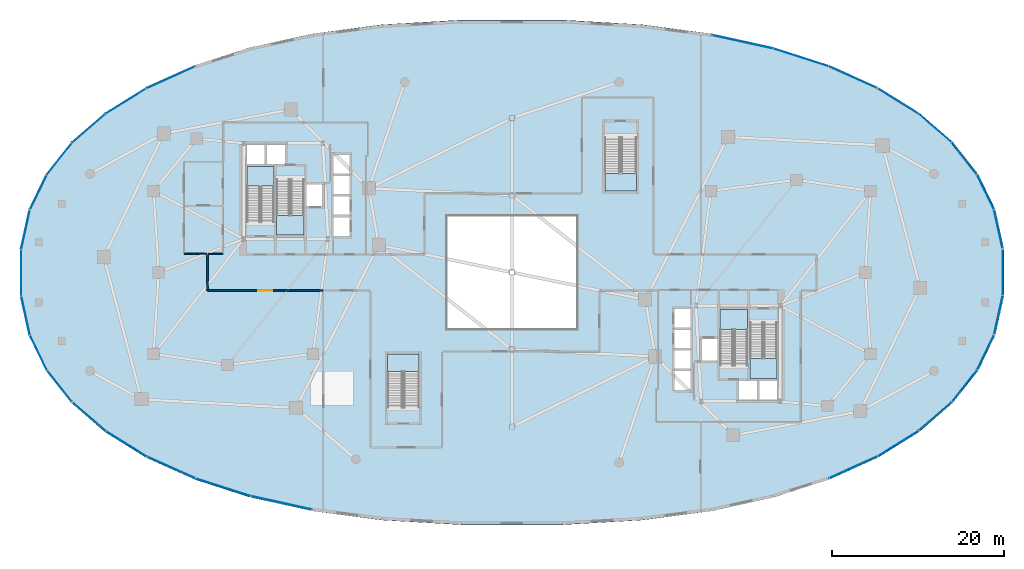
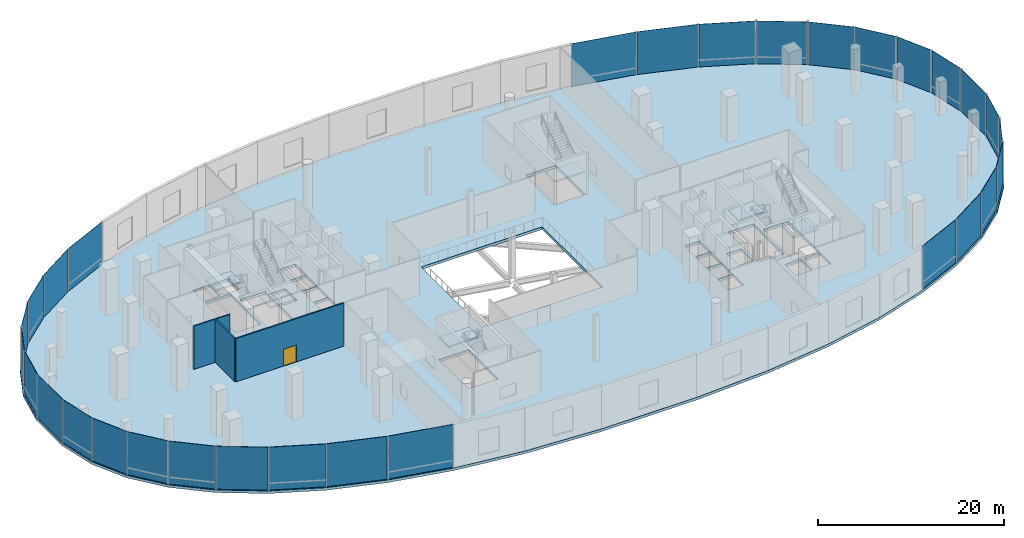
# One storey, part 11 of 20: 30 plates, 7 slabs, 4 walls, 1 door, 1 opening, 13 elements without a shape of their own.
"""IFC4 building model written with IfcOpenShell, lengths in metres."""

from ifc_helpers import new_model, si_unit, direction, frame, frame_2d, origin, origin_2d, place, context, subcontext, project, spatial, polyline, rectangle, outline, extrude, material, layer, layer_set, type_object, element, fill, aggregate, save


model = new_model("IFC4")

# Units and contexts
model_context = context("Model", 3, precision=1e-05, world=origin(), true_north=direction((0.0, 1.0)))
body_context = subcontext(model_context, "Body", "Model", "MODEL_VIEW")
ifc_project = project(units=[si_unit("LENGTHUNIT", "METRE"), si_unit("AREAUNIT", "SQUARE_METRE"), si_unit("VOLUMEUNIT", "CUBIC_METRE"), si_unit("PLANEANGLEUNIT", "RADIAN"), si_unit("MASSUNIT", "GRAM", prefix="KILO"), si_unit("THERMODYNAMICTEMPERATUREUNIT", "KELVIN"), si_unit("POWERUNIT", "WATT")], contexts=[model_context])

# Site, building, storey
site_placement = place(None, origin())
site = spatial("IfcSite", under=ifc_project, at=site_placement, CompositionType="ELEMENT")
building_placement = place(site_placement, origin())
building = spatial("IfcBuilding", under=site, at=building_placement, Name="Cundina Bronze Exchange", CompositionType="ELEMENT")
storey_placement = place(building_placement, frame((0.0, 0.0, 6.0)))
storey = spatial("IfcBuildingStorey", under=building, at=storey_placement, Name="L01", CompositionType="ELEMENT", Elevation=6.0)

# Curtain wall, plates
ifc_material_1 = material(Name="Anodised Bronze Aluminium 6063-T6", Category="aluminium")
curtain_wall_type = type_object("IfcCurtainWallType", Name="CWS-POD-CONC", PredefinedType="NOTDEFINED", material=ifc_material_1)
curtain_wall_1_placement = place(storey_placement, origin())
curtain_wall_1 = element("IfcCurtainWall", 1, at=curtain_wall_1_placement, inside=storey, type_object=curtain_wall_type, Name="L01 CW-01 Curtain Wall Run CWR-L01-01", PredefinedType="NOTDEFINED")
ifc_material_2 = material(Name="Heat-Strengthened Solar-Control Bronze Safety Glass 28mm", Category="glass")
ifc_layer_1 = layer(ifc_material_2, 0.033935546875, Name="Heat-Strengthened Solar-Control Bronze Safety Glass 28mm", Category="glass")
ifc_layer_set_1 = layer_set([ifc_layer_1], Name="Heat-Strengthened Solar-Control Bronze Safety Glass 28mm")
plate_type_1 = type_object("IfcPlateType", Name="PLT-GLZ-POD34", PredefinedType="CURTAIN_PANEL", material=ifc_layer_set_1)
plate_1_placement = place(storey_placement, frame((56.7294921875, 4.99951171875, 0.02001953125), z_axis=(0.0, 0.0, 1.0), x_axis=(-0.214496674701, 0.976724718916, 0.0)))
plate_1 = element("IfcPlate", 2, at=plate_1_placement, type_object=plate_type_1, Name="CW-01 Glazed Panel 1", PredefinedType="CURTAIN_PANEL", context=body_context, shape_type="SweptSolid", body=[
    extrude(rectangle(XDim=4.60009765625, YDim=0.033935546875, at=origin_2d()), origin(), (0.0, 0.0, 1.0), 5.610107421875),
])
plate_2_placement = place(storey_placement, frame((55.237548828125, 9.3232421875, 0.02001953125), z_axis=(0.0, 0.0, 1.0), x_axis=(-0.435765282624, 0.900060341566, 0.0)))
plate_2 = element("IfcPlate", 3, at=plate_2_placement, type_object=plate_type_1, Name="CW-01 Glazed Panel 2", PredefinedType="CURTAIN_PANEL", context=body_context, shape_type="SweptSolid", body=[
    extrude(rectangle(XDim=4.499755859375, YDim=0.033935546875, at=origin_2d()), origin(), (0.0, 0.0, 1.0), 5.610107421875),
])
plate_3_placement = place(storey_placement, frame((52.768798828125, 13.24462890625, 0.02001953125), z_axis=(0.0, 0.0, 1.0), x_axis=(-0.619463952441, 0.785025102545, 0.0)))
plate_3 = element("IfcPlate", 4, at=plate_3_placement, type_object=plate_type_1, Name="CW-01 Glazed Panel 3", PredefinedType="CURTAIN_PANEL", context=body_context, shape_type="SweptSolid", body=[
    extrude(rectangle(XDim=4.7060546875, YDim=0.033935546875, at=origin_2d()), origin(), (0.0, 0.0, 1.0), 5.610107421875),
])
plate_4_placement = place(storey_placement, frame((49.346923828125, 16.802490234375, 0.02001953125), z_axis=(0.0, 0.0, 1.0), x_axis=(-0.755556279398, 0.655083741717, 0.0)))
plate_4 = element("IfcPlate", 5, at=plate_4_placement, type_object=plate_type_1, Name="CW-01 Glazed Panel 4", PredefinedType="CURTAIN_PANEL", context=body_context, shape_type="SweptSolid", body=[
    extrude(rectangle(XDim=5.0849609375, YDim=0.033935546875, at=origin_2d()), origin(), (0.0, 0.0, 1.0), 5.610107421875),
])

curtain_wall_2_placement = place(storey_placement, origin())
curtain_wall_2 = element("IfcCurtainWall", 6, at=curtain_wall_2_placement, inside=storey, type_object=curtain_wall_type, Name="L01 CW-01 Curtain Wall Run CWR-L01-02", PredefinedType="NOTDEFINED")
plate_5_placement = place(storey_placement, frame((39.789794921875, 22.73876953125, 0.02001953125), z_axis=(0.0, 0.0, 1.0), x_axis=(-0.911647313688, 0.41097344859, 0.0)))
plate_5 = element("IfcPlate", 7, at=plate_5_placement, type_object=plate_type_1, Name="CW-01 Glazed Panel 1", PredefinedType="CURTAIN_PANEL", context=body_context, shape_type="SweptSolid", body=[
    extrude(rectangle(XDim=6.11962890625, YDim=0.033935546875, at=origin_2d()), origin(), (0.0, 0.0, 1.0), 5.610107421875),
])
plate_6_placement = place(storey_placement, frame((33.738037109375, 25.051513671875, 0.02001953125), z_axis=(0.0, 0.0, 1.0), x_axis=(-0.951840858876, 0.306592529873, 0.0)))
plate_6 = element("IfcPlate", 8, at=plate_6_placement, type_object=plate_type_1, Name="CW-01 Glazed Panel 2", PredefinedType="CURTAIN_PANEL", context=body_context, shape_type="SweptSolid", body=[
    extrude(rectangle(XDim=6.71044921875, YDim=0.033935546875, at=origin_2d()), origin(), (0.0, 0.0, 1.0), 5.610107421875),
])
plate_7_placement = place(storey_placement, frame((26.882568359375, 26.884765625, 0.02001953125), z_axis=(0.0, 0.0, 1.0), x_axis=(-0.9769078017, 0.213661290314, 0.0)))
plate_7 = element("IfcPlate", 9, at=plate_7_placement, type_object=plate_type_1, Name="CW-01 Glazed Panel 3", PredefinedType="CURTAIN_PANEL", context=body_context, shape_type="SweptSolid", body=[
    extrude(rectangle(XDim=7.3466796875, YDim=0.033935546875, at=origin_2d()), origin(), (0.0, 0.0, 1.0), 5.610107421875),
])
aggregate(curtain_wall_2, [plate_5, plate_6, plate_7])

curtain_wall_3_placement = place(storey_placement, origin())
curtain_wall_3 = element("IfcCurtainWall", 10, at=curtain_wall_3_placement, inside=storey, type_object=curtain_wall_type, Name="L01 CW-01 Curtain Wall Run CWR-L01-03", PredefinedType="NOTDEFINED")
plate_8_placement = place(storey_placement, frame((-39.789794921875, 22.73876953125, 0.02001953125), z_axis=(0.0, 0.0, 1.0), x_axis=(-0.911647313688, -0.41097344859, 0.0)))
plate_8 = element("IfcPlate", 11, at=plate_8_placement, type_object=plate_type_1, Name="CW-01 Glazed Panel 1", PredefinedType="CURTAIN_PANEL", context=body_context, shape_type="SweptSolid", body=[
    extrude(rectangle(XDim=6.11962890625, YDim=0.033935546875, at=origin_2d()), origin(), (0.0, 0.0, 1.0), 5.610107421875),
])
plate_9_placement = place(storey_placement, frame((-45.007080078125, 19.977783203125, 0.02001953125), z_axis=(0.0, 0.0, 1.0), x_axis=(-0.849294333819, -0.527919628867, 0.0)))
plate_9 = element("IfcPlate", 12, at=plate_9_placement, type_object=plate_type_1, Name="CW-01 Glazed Panel 2", PredefinedType="CURTAIN_PANEL", context=body_context, shape_type="SweptSolid", body=[
    extrude(rectangle(XDim=5.570068359375, YDim=0.033935546875, at=origin_2d()), origin(), (0.0, 0.0, 1.0), 5.610107421875),
])
plate_10_placement = place(storey_placement, frame((-52.768798828125, 13.24462890625, 0.02001953125), z_axis=(0.0, 0.0, 1.0), x_axis=(-0.619463952441, -0.785025102545, 0.0)))
plate_10 = element("IfcPlate", 13, at=plate_10_placement, type_object=plate_type_1, Name="CW-01 Glazed Panel 4", PredefinedType="CURTAIN_PANEL", context=body_context, shape_type="SweptSolid", body=[
    extrude(rectangle(XDim=4.7060546875, YDim=0.033935546875, at=origin_2d()), origin(), (0.0, 0.0, 1.0), 5.610107421875),
])
plate_11_placement = place(storey_placement, frame((-55.237548828125, 9.3232421875, 0.02001953125), z_axis=(0.0, 0.0, 1.0), x_axis=(-0.435765282624, -0.900060341566, 0.0)))
plate_11 = element("IfcPlate", 14, at=plate_11_placement, type_object=plate_type_1, Name="CW-01 Glazed Panel 5", PredefinedType="CURTAIN_PANEL", context=body_context, shape_type="SweptSolid", body=[
    extrude(rectangle(XDim=4.499755859375, YDim=0.033935546875, at=origin_2d()), origin(), (0.0, 0.0, 1.0), 5.610107421875),
])

curtain_wall_4_placement = place(storey_placement, origin())
curtain_wall_4 = element("IfcCurtainWall", 15, at=curtain_wall_4_placement, inside=storey, type_object=curtain_wall_type, Name="L01 CW-01 Curtain Wall Run CWR-L01-04", PredefinedType="NOTDEFINED")
plate_12_placement = place(storey_placement, frame((-56.7294921875, 4.99951171875, 0.02001953125), z_axis=(0.0, 0.0, 1.0), x_axis=(-0.214496674701, -0.976724718916, 0.0)))
plate_12 = element("IfcPlate", 16, at=plate_12_placement, type_object=plate_type_1, Name="CW-01 Glazed Panel 1", PredefinedType="CURTAIN_PANEL", context=body_context, shape_type="SweptSolid", body=[
    extrude(rectangle(XDim=4.60009765625, YDim=0.033935546875, at=origin_2d()), origin(), (0.0, 0.0, 1.0), 5.610107421875),
])
plate_13_placement = place(storey_placement, frame((-56.7294921875, -4.99951171875, 0.02001953125), z_axis=(0.0, 0.0, 1.0), x_axis=(0.214496674701, -0.976724718916, 0.0)))
plate_13 = element("IfcPlate", 17, at=plate_13_placement, type_object=plate_type_1, Name="CW-01 Glazed Panel 3", PredefinedType="CURTAIN_PANEL", context=body_context, shape_type="SweptSolid", body=[
    extrude(rectangle(XDim=4.60009765625, YDim=0.033935546875, at=origin_2d()), origin(), (0.0, 0.0, 1.0), 5.610107421875),
])
plate_14_placement = place(storey_placement, frame((-55.237548828125, -9.3232421875, 0.02001953125), z_axis=(0.0, 0.0, 1.0), x_axis=(0.435765282624, -0.900060341566, 0.0)))
plate_14 = element("IfcPlate", 18, at=plate_14_placement, type_object=plate_type_1, Name="CW-01 Glazed Panel 4", PredefinedType="CURTAIN_PANEL", context=body_context, shape_type="SweptSolid", body=[
    extrude(rectangle(XDim=4.499755859375, YDim=0.033935546875, at=origin_2d()), origin(), (0.0, 0.0, 1.0), 5.610107421875),
])
plate_15_placement = place(storey_placement, frame((-52.768798828125, -13.24462890625, 0.02001953125), z_axis=(0.0, 0.0, 1.0), x_axis=(0.619463952441, -0.785025102545, 0.0)))
plate_15 = element("IfcPlate", 19, at=plate_15_placement, type_object=plate_type_1, Name="CW-01 Glazed Panel 5", PredefinedType="CURTAIN_PANEL", context=body_context, shape_type="SweptSolid", body=[
    extrude(rectangle(XDim=4.7060546875, YDim=0.033935546875, at=origin_2d()), origin(), (0.0, 0.0, 1.0), 5.610107421875),
])

curtain_wall_5_placement = place(storey_placement, origin())
curtain_wall_5 = element("IfcCurtainWall", 20, at=curtain_wall_5_placement, inside=storey, type_object=curtain_wall_type, Name="L01 CW-01 Curtain Wall Run CWR-L01-05", PredefinedType="NOTDEFINED")
plate_16_placement = place(storey_placement, frame((-45.007080078125, -19.977783203125, 0.02001953125), z_axis=(0.0, 0.0, 1.0), x_axis=(0.849294333819, -0.527919628867, 0.0)))
plate_16 = element("IfcPlate", 21, at=plate_16_placement, type_object=plate_type_1, Name="CW-01 Glazed Panel 2", PredefinedType="CURTAIN_PANEL", context=body_context, shape_type="SweptSolid", body=[
    extrude(rectangle(XDim=5.570068359375, YDim=0.033935546875, at=origin_2d()), origin(), (0.0, 0.0, 1.0), 5.610107421875),
])
plate_17_placement = place(storey_placement, frame((-39.789794921875, -22.73876953125, 0.02001953125), z_axis=(0.0, 0.0, 1.0), x_axis=(0.911647313688, -0.41097344859, 0.0)))
plate_17 = element("IfcPlate", 22, at=plate_17_placement, type_object=plate_type_1, Name="CW-01 Glazed Panel 3", PredefinedType="CURTAIN_PANEL", context=body_context, shape_type="SweptSolid", body=[
    extrude(rectangle(XDim=6.11962890625, YDim=0.033935546875, at=origin_2d()), origin(), (0.0, 0.0, 1.0), 5.610107421875),
])
plate_18_placement = place(storey_placement, frame((-33.738037109375, -25.051513671875, 0.02001953125), z_axis=(0.0, 0.0, 1.0), x_axis=(0.951840858876, -0.306592529873, 0.0)))
plate_18 = element("IfcPlate", 23, at=plate_18_placement, type_object=plate_type_1, Name="CW-01 Glazed Panel 4", PredefinedType="CURTAIN_PANEL", context=body_context, shape_type="SweptSolid", body=[
    extrude(rectangle(XDim=6.71044921875, YDim=0.033935546875, at=origin_2d()), origin(), (0.0, 0.0, 1.0), 5.610107421875),
])
plate_19_placement = place(storey_placement, frame((-26.882568359375, -26.884765625, 0.02001953125), z_axis=(0.0, 0.0, 1.0), x_axis=(0.9769078017, -0.213661290314, 0.0)))
plate_19 = element("IfcPlate", 24, at=plate_19_placement, type_object=plate_type_1, Name="CW-01 Glazed Panel 5", PredefinedType="CURTAIN_PANEL", context=body_context, shape_type="SweptSolid", body=[
    extrude(rectangle(XDim=7.3466796875, YDim=0.033935546875, at=origin_2d()), origin(), (0.0, 0.0, 1.0), 5.610107421875),
])

curtain_wall_6_placement = place(storey_placement, origin())
curtain_wall_6 = element("IfcCurtainWall", 25, at=curtain_wall_6_placement, inside=storey, type_object=curtain_wall_type, Name="L01 CW-01 Curtain Wall Run CWR-L01-06", PredefinedType="NOTDEFINED")
plate_20_placement = place(storey_placement, frame((39.789794921875, -22.73876953125, 0.02001953125), z_axis=(0.0, 0.0, 1.0), x_axis=(0.911647313688, 0.41097344859, 0.0)))
plate_20 = element("IfcPlate", 26, at=plate_20_placement, type_object=plate_type_1, Name="CW-01 Glazed Panel 1", PredefinedType="CURTAIN_PANEL", context=body_context, shape_type="SweptSolid", body=[
    extrude(rectangle(XDim=6.11962890625, YDim=0.033935546875, at=origin_2d()), origin(), (0.0, 0.0, 1.0), 5.610107421875),
])
plate_21_placement = place(storey_placement, frame((45.007080078125, -19.977783203125, 0.02001953125), z_axis=(0.0, 0.0, 1.0), x_axis=(0.849294333819, 0.527919628867, 0.0)))
plate_21 = element("IfcPlate", 27, at=plate_21_placement, type_object=plate_type_1, Name="CW-01 Glazed Panel 2", PredefinedType="CURTAIN_PANEL", context=body_context, shape_type="SweptSolid", body=[
    extrude(rectangle(XDim=5.570068359375, YDim=0.033935546875, at=origin_2d()), origin(), (0.0, 0.0, 1.0), 5.610107421875),
])
plate_22_placement = place(storey_placement, frame((49.346923828125, -16.802490234375, 0.02001953125), z_axis=(0.0, 0.0, 1.0), x_axis=(0.755556279398, 0.655083741717, 0.0)))
plate_22 = element("IfcPlate", 28, at=plate_22_placement, type_object=plate_type_1, Name="CW-01 Glazed Panel 3", PredefinedType="CURTAIN_PANEL", context=body_context, shape_type="SweptSolid", body=[
    extrude(rectangle(XDim=5.0849609375, YDim=0.033935546875, at=origin_2d()), origin(), (0.0, 0.0, 1.0), 5.610107421875),
])
plate_23_placement = place(storey_placement, frame((52.768798828125, -13.24462890625, 0.02001953125), z_axis=(0.0, 0.0, 1.0), x_axis=(0.619463952441, 0.785025102545, 0.0)))
plate_23 = element("IfcPlate", 29, at=plate_23_placement, type_object=plate_type_1, Name="CW-01 Glazed Panel 4", PredefinedType="CURTAIN_PANEL", context=body_context, shape_type="SweptSolid", body=[
    extrude(rectangle(XDim=4.7060546875, YDim=0.033935546875, at=origin_2d()), origin(), (0.0, 0.0, 1.0), 5.610107421875),
])

curtain_wall_7_placement = place(storey_placement, origin())
curtain_wall_7 = element("IfcCurtainWall", 30, at=curtain_wall_7_placement, inside=storey, type_object=curtain_wall_type, Name="L01 CW-01 Curtain Wall Run CWR-L01-07", PredefinedType="NOTDEFINED")
plate_24_placement = place(storey_placement, frame((56.7294921875, -4.99951171875, 0.02001953125), z_axis=(0.0, 0.0, 1.0), x_axis=(0.214496674701, 0.976724718916, 0.0)))
plate_24 = element("IfcPlate", 31, at=plate_24_placement, type_object=plate_type_1, Name="CW-01 Glazed Panel 1", PredefinedType="CURTAIN_PANEL", context=body_context, shape_type="SweptSolid", body=[
    extrude(rectangle(XDim=4.60009765625, YDim=0.033935546875, at=origin_2d()), origin(), (0.0, 0.0, 1.0), 5.610107421875),
])
plate_25_placement = place(storey_placement, frame((57.22900390625, 0.0, 0.02001953125), z_axis=(0.0, 0.0, 1.0), x_axis=(0.0, 1.0, 0.0)))
plate_25 = element("IfcPlate", 32, at=plate_25_placement, type_object=plate_type_1, Name="CW-01 Glazed Panel 2", PredefinedType="CURTAIN_PANEL", context=body_context, shape_type="SweptSolid", body=[
    extrude(rectangle(XDim=5.389892578125, YDim=0.033935546875, at=origin_2d()), origin(), (0.0, 0.0, 1.0), 5.610107421875),
])
aggregate(curtain_wall_7, [plate_24, plate_25])

# Plate
ifc_material_3 = material(Name="Dark Bronze Spandrel Glass Panel 32mm", Category="glass")
ifc_layer_2 = layer(ifc_material_3, 0.031982421875, Name="Dark Bronze Spandrel Glass Panel 32mm", Category="glass")
ifc_layer_set_2 = layer_set([ifc_layer_2], Name="Dark Bronze Spandrel Glass Panel 32mm")
plate_type_2 = type_object("IfcPlateType", Name="PLT-SPN-BRZ32", PredefinedType="CURTAIN_PANEL", material=ifc_layer_set_2)
plate_26_placement = place(storey_placement, frame((45.007080078125, 19.977783203125, 0.02001953125), z_axis=(0.0, 0.0, 1.0), x_axis=(-0.849294333819, 0.527919628867, 0.0)))
plate_26 = element("IfcPlate", 33, at=plate_26_placement, type_object=plate_type_2, Name="CW-01 Glazed Panel 5", PredefinedType="CURTAIN_PANEL", context=body_context, shape_type="SweptSolid", body=[
    extrude(rectangle(XDim=5.570068359375, YDim=0.031982421875, at=origin_2d()), origin(), (0.0, 0.0, 1.0), 5.610107421875),
])

aggregate(curtain_wall_1, [plate_1, plate_2, plate_3, plate_4, plate_26])

plate_27_placement = place(storey_placement, frame((-49.346923828125, 16.802490234375, 0.02001953125), z_axis=(0.0, 0.0, 1.0), x_axis=(-0.755556279398, -0.655083741717, 0.0)))
plate_27 = element("IfcPlate", 34, at=plate_27_placement, type_object=plate_type_2, Name="CW-01 Glazed Panel 3", PredefinedType="CURTAIN_PANEL", context=body_context, shape_type="SweptSolid", body=[
    extrude(rectangle(XDim=5.0849609375, YDim=0.031982421875, at=origin_2d()), origin(), (0.0, 0.0, 1.0), 5.610107421875),
])

aggregate(curtain_wall_3, [plate_8, plate_9, plate_27, plate_10, plate_11])

plate_28_placement = place(storey_placement, frame((-57.22900390625, 0.0, 0.02001953125), z_axis=(0.0, 0.0, 1.0), x_axis=(0.0, -1.0, 0.0)))
plate_28 = element("IfcPlate", 35, at=plate_28_placement, type_object=plate_type_2, Name="CW-01 Glazed Panel 2", PredefinedType="CURTAIN_PANEL", context=body_context, shape_type="SweptSolid", body=[
    extrude(rectangle(XDim=5.389892578125, YDim=0.031982421875, at=origin_2d()), origin(), (0.0, 0.0, 1.0), 5.610107421875),
])

aggregate(curtain_wall_4, [plate_12, plate_28, plate_13, plate_14, plate_15])

plate_29_placement = place(storey_placement, frame((-49.346923828125, -16.802490234375, 0.02001953125), z_axis=(0.0, 0.0, 1.0), x_axis=(0.755556279398, -0.655083741717, 0.0)))
plate_29 = element("IfcPlate", 36, at=plate_29_placement, type_object=plate_type_2, Name="CW-01 Glazed Panel 1", PredefinedType="CURTAIN_PANEL", context=body_context, shape_type="SweptSolid", body=[
    extrude(rectangle(XDim=5.0849609375, YDim=0.031982421875, at=origin_2d()), origin(), (0.0, 0.0, 1.0), 5.610107421875),
])

aggregate(curtain_wall_5, [plate_29, plate_16, plate_17, plate_18, plate_19])

plate_30_placement = place(storey_placement, frame((55.237548828125, -9.3232421875, 0.02001953125), z_axis=(0.0, 0.0, 1.0), x_axis=(0.435765282624, 0.900060341566, 0.0)))
plate_30 = element("IfcPlate", 37, at=plate_30_placement, type_object=plate_type_2, Name="CW-01 Glazed Panel 5", PredefinedType="CURTAIN_PANEL", context=body_context, shape_type="SweptSolid", body=[
    extrude(rectangle(XDim=4.499755859375, YDim=0.031982421875, at=origin_2d()), origin(), (0.0, 0.0, 1.0), 5.610107421875),
])

aggregate(curtain_wall_6, [plate_20, plate_21, plate_22, plate_23, plate_30])

# Stair, slab
ifc_material_4 = material(Name="Concrete C40/50", Category="concrete")
stair_type_1 = type_object("IfcStairType", Name="STR-POD-600", PredefinedType="HALF_TURN_STAIR", material=ifc_material_4)
stair_1_placement = place(storey_placement, origin())
stair_1 = element("IfcStair", 38, at=stair_1_placement, inside=storey, type_object=stair_type_1, Name="L01 Smokeproof Exit Stair W1", PredefinedType="HALF_TURN_STAIR")
ifc_layer_3 = layer(ifc_material_4, 0.199951171875, Name="Concrete C40/50", Category="concrete")
ifc_layer_set_3 = layer_set([ifc_layer_3], Name="Concrete C40/50")
slab_type_1 = type_object("IfcSlabType", Name="SLB-LND-200", PredefinedType="LANDING", material=ifc_layer_set_3)
slab_1_placement = place(storey_placement, frame((0.0, 0.0, 2.800048828125)))
slab_1 = element("IfcSlab", 39, at=slab_1_placement, type_object=slab_type_1, Name="ST-W1 landing 1", PredefinedType="LANDING", context=body_context, shape_type="SweptSolid", body=[
    extrude(outline(polyline([(-27.739990234375, 10.050048828125), (-27.739990234375, 12.35009765625), (-30.89990234375, 12.35009765625), (-30.89990234375, 10.050048828125), (-27.739990234375, 10.050048828125)])), origin(), (0.0, 0.0, 1.0), 0.199951171875),
])
aggregate(stair_1, [slab_1])

stair_2_placement = place(storey_placement, origin())
stair_2 = element("IfcStair", 40, at=stair_2_placement, inside=storey, type_object=stair_type_1, Name="L01 Smokeproof Exit Stair W2", PredefinedType="HALF_TURN_STAIR")
slab_2_placement = place(storey_placement, frame((0.0, 0.0, 2.800048828125)))
slab_2 = element("IfcSlab", 41, at=slab_2_placement, type_object=slab_type_1, Name="ST-W2 landing 1", PredefinedType="LANDING", context=body_context, shape_type="SweptSolid", body=[
    extrude(outline(polyline([(-27.43994140625, 6.64990234375), (-27.43994140625, 4.35009765625), (-24.280029296875, 4.35009765625), (-24.280029296875, 6.64990234375), (-27.43994140625, 6.64990234375)])), origin(), (0.0, 0.0, 1.0), 0.199951171875),
])
aggregate(stair_2, [slab_2])

stair_3_placement = place(storey_placement, origin())
stair_3 = element("IfcStair", 42, at=stair_3_placement, inside=storey, type_object=stair_type_1, Name="L01 Smokeproof Exit Stair E1", PredefinedType="HALF_TURN_STAIR")
slab_3_placement = place(storey_placement, frame((0.0, 0.0, 2.800048828125)))
slab_3 = element("IfcSlab", 43, at=slab_3_placement, type_object=slab_type_1, Name="ST-E1 landing 1", PredefinedType="LANDING", context=body_context, shape_type="SweptSolid", body=[
    extrude(outline(polyline([(27.739990234375, -10.050048828125), (27.739990234375, -12.35009765625), (30.89990234375, -12.35009765625), (30.89990234375, -10.050048828125), (27.739990234375, -10.050048828125)])), origin(), (0.0, 0.0, 1.0), 0.199951171875),
])
aggregate(stair_3, [slab_3])

stair_4_placement = place(storey_placement, origin())
stair_4 = element("IfcStair", 44, at=stair_4_placement, inside=storey, type_object=stair_type_1, Name="L01 Smokeproof Exit Stair E2", PredefinedType="HALF_TURN_STAIR")
slab_4_placement = place(storey_placement, frame((0.0, 0.0, 2.800048828125)))
slab_4 = element("IfcSlab", 45, at=slab_4_placement, type_object=slab_type_1, Name="ST-E2 landing 1", PredefinedType="LANDING", context=body_context, shape_type="SweptSolid", body=[
    extrude(outline(polyline([(27.43994140625, -6.64990234375), (27.43994140625, -4.35009765625), (24.280029296875, -4.35009765625), (24.280029296875, -6.64990234375), (27.43994140625, -6.64990234375)])), origin(), (0.0, 0.0, 1.0), 0.199951171875),
])
aggregate(stair_4, [slab_4])

stair_type_2 = type_object("IfcStairType", Name="STR-CON-600", PredefinedType="STRAIGHT_RUN_STAIR", material=ifc_material_4)
stair_5_placement = place(storey_placement, origin())
stair_5 = element("IfcStair", 46, at=stair_5_placement, inside=storey, type_object=stair_type_2, Name="L01 Concourse Exchange Stair W", PredefinedType="HALF_TURN_STAIR")
slab_5_placement = place(storey_placement, frame((0.0, 0.0, 2.800048828125)))
slab_5 = element("IfcSlab", 47, at=slab_5_placement, type_object=slab_type_1, Name="ST-PW landing 1", PredefinedType="LANDING", context=body_context, shape_type="SweptSolid", body=[
    extrude(outline(polyline([(-10.820068359375, -11.550048828125), (-10.820068359375, -9.5), (-14.52001953125, -9.5), (-14.52001953125, -11.550048828125), (-10.820068359375, -11.550048828125)])), origin(), (0.0, 0.0, 1.0), 0.199951171875),
])
aggregate(stair_5, [slab_5])

stair_6_placement = place(storey_placement, origin())
stair_6 = element("IfcStair", 48, at=stair_6_placement, inside=storey, type_object=stair_type_2, Name="L01 Concourse Exchange Stair E", PredefinedType="HALF_TURN_STAIR")
slab_6_placement = place(storey_placement, frame((0.0, 0.0, 2.800048828125)))
slab_6 = element("IfcSlab", 49, at=slab_6_placement, type_object=slab_type_1, Name="ST-PE landing 1", PredefinedType="LANDING", context=body_context, shape_type="SweptSolid", body=[
    extrude(outline(polyline([(10.820068359375, 11.550048828125), (10.820068359375, 9.5), (14.52001953125, 9.5), (14.52001953125, 11.550048828125), (10.820068359375, 11.550048828125)])), origin(), (0.0, 0.0, 1.0), 0.199951171875),
])
aggregate(stair_6, [slab_6])

# Slab
ifc_material_5 = material(Name="Concrete C50/60", Category="concrete")
ifc_layer_4 = layer(ifc_material_5, 0.35009765625, Name="Concrete C50/60", Category="concrete")
ifc_layer_set_4 = layer_set([ifc_layer_4], Name="Concrete C50/60")
slab_type_2 = type_object("IfcSlabType", Name="SLB-POD-350", PredefinedType="FLOOR", material=ifc_layer_set_4)
slab_7_placement = place(storey_placement, frame((0.0, 0.0, -0.35009765625)))
element("IfcSlab", 50, at=slab_7_placement, inside=storey, type_object=slab_type_2, Name="L01 Podium Structural Floor Slab", PredefinedType="FLOOR", context=body_context, shape_type="SweptSolid", body=[
    extrude(outline(polyline([(57.3740234375, 2.739990234375), (56.367919921875, 7.321044921875), (54.367919921875, 11.451904296875), (51.39697265625, 15.217041015625), (47.487060546875, 18.60693359375), (42.679931640625, 21.594970703125), (37.01904296875, 24.14697265625), (30.5458984375, 26.23193359375), (23.281005859375, 27.821044921875), (15.180908203125, 28.89306640625), (5.93603515625, 29.431884765625), (-5.93603515625, 29.431884765625), (-15.180908203125, 28.89306640625), (-23.281005859375, 27.821044921875), (-30.5458984375, 26.23193359375), (-37.01904296875, 24.14697265625), (-42.679931640625, 21.594970703125), (-47.487060546875, 18.60693359375), (-51.39697265625, 15.217041015625), (-54.367919921875, 11.451904296875), (-56.367919921875, 7.321044921875), (-57.3740234375, 2.739990234375), (-57.3740234375, -2.739990234375), (-56.367919921875, -7.321044921875), (-54.367919921875, -11.451904296875), (-51.39697265625, -15.217041015625), (-47.487060546875, -18.60693359375), (-42.679931640625, -21.594970703125), (-37.01904296875, -24.14697265625), (-30.5458984375, -26.23193359375), (-23.281005859375, -27.821044921875), (-15.180908203125, -28.89306640625), (-5.93603515625, -29.431884765625), (5.93603515625, -29.431884765625), (15.180908203125, -28.89306640625), (23.281005859375, -27.821044921875), (30.5458984375, -26.23193359375), (37.01904296875, -24.14697265625), (42.679931640625, -21.594970703125), (47.487060546875, -18.60693359375), (51.39697265625, -15.217041015625), (54.367919921875, -11.451904296875), (56.367919921875, -7.321044921875), (57.3740234375, -2.739990234375), (57.3740234375, 2.739990234375)]), holes=[polyline([(-27.739990234375, 5.85009765625), (-27.739990234375, 12.35009765625), (-30.89990234375, 12.35009765625), (-30.89990234375, 5.85009765625), (-27.739990234375, 5.85009765625)]), polyline([(-27.43994140625, 10.85009765625), (-27.43994140625, 4.35009765625), (-24.280029296875, 4.35009765625), (-24.280029296875, 10.85009765625), (-27.43994140625, 10.85009765625)]), polyline([(27.739990234375, -5.85009765625), (27.739990234375, -12.35009765625), (30.89990234375, -12.35009765625), (30.89990234375, -5.85009765625), (27.739990234375, -5.85009765625)]), polyline([(27.43994140625, -10.85009765625), (27.43994140625, -4.35009765625), (24.280029296875, -4.35009765625), (24.280029296875, -10.85009765625), (27.43994140625, -10.85009765625)]), polyline([(-10.820068359375, -15.75), (-10.820068359375, -9.5), (-14.52001953125, -9.5), (-14.52001953125, -15.75), (-10.820068359375, -15.75)]), polyline([(10.820068359375, 15.75), (10.820068359375, 9.5), (14.52001953125, 9.5), (14.52001953125, 15.75), (10.820068359375, 15.75)]), polyline([(-23.97998046875, 10.25), (-22.179931640625, 10.25), (-22.179931640625, 7.75), (-23.97998046875, 7.75), (-23.97998046875, 10.25)]), polyline([(-30.89990234375, 14.949951171875), (-28.85009765625, 14.949951171875), (-28.85009765625, 12.64990234375), (-30.89990234375, 12.64990234375), (-30.89990234375, 14.949951171875)]), polyline([(-28.550048828125, 14.949951171875), (-26.5, 14.949951171875), (-26.5, 12.64990234375), (-28.550048828125, 12.64990234375), (-28.550048828125, 14.949951171875)]), polyline([(-20.800048828125, 13.699951171875), (-18.949951171875, 13.699951171875), (-18.949951171875, 11.449951171875), (-20.800048828125, 11.449951171875), (-20.800048828125, 13.699951171875)]), polyline([(-20.800048828125, 11.300048828125), (-18.949951171875, 11.300048828125), (-18.949951171875, 9.050048828125), (-20.800048828125, 9.050048828125), (-20.800048828125, 11.300048828125)]), polyline([(-20.800048828125, 8.89990234375), (-18.949951171875, 8.89990234375), (-18.949951171875, 6.64990234375), (-20.800048828125, 6.64990234375), (-20.800048828125, 8.89990234375)]), polyline([(-20.800048828125, 6.5), (-18.949951171875, 6.5), (-18.949951171875, 4.25), (-20.800048828125, 4.25), (-20.800048828125, 6.5)]), polyline([(22.179931640625, -7.75), (23.97998046875, -7.75), (23.97998046875, -10.25), (22.179931640625, -10.25), (22.179931640625, -7.75)]), polyline([(28.85009765625, -12.64990234375), (30.89990234375, -12.64990234375), (30.89990234375, -14.949951171875), (28.85009765625, -14.949951171875), (28.85009765625, -12.64990234375)]), polyline([(26.5, -12.64990234375), (28.550048828125, -12.64990234375), (28.550048828125, -14.949951171875), (26.5, -14.949951171875), (26.5, -12.64990234375)]), polyline([(18.949951171875, -11.449951171875), (20.800048828125, -11.449951171875), (20.800048828125, -13.699951171875), (18.949951171875, -13.699951171875), (18.949951171875, -11.449951171875)]), polyline([(18.949951171875, -9.050048828125), (20.800048828125, -9.050048828125), (20.800048828125, -11.300048828125), (18.949951171875, -11.300048828125), (18.949951171875, -9.050048828125)]), polyline([(18.949951171875, -6.64990234375), (20.800048828125, -6.64990234375), (20.800048828125, -8.89990234375), (18.949951171875, -8.89990234375), (18.949951171875, -6.64990234375)]), polyline([(18.949951171875, -4.25), (20.800048828125, -4.25), (20.800048828125, -6.5), (18.949951171875, -6.5), (18.949951171875, -4.25)]), polyline([(-7.5, 6.5), (7.5, 6.5), (7.5, -6.5), (-7.5, -6.5), (-7.5, 6.5)])]), origin(), (0.0, 0.0, 1.0), 0.35009765625),
])

# Wall, opening, door
ifc_material_6 = material(Name="Gypsum Fireboard Partition EI120")
ifc_layer_5 = layer(ifc_material_6, 0.179931640625, Name="Gypsum Fireboard Partition EI120")
ifc_layer_set_5 = layer_set([ifc_layer_5], Name="Gypsum Fireboard Partition EI120")
wall_type_1 = type_object("IfcWallType", Name="WL-COR-180", PredefinedType="PARTITIONING", material=ifc_layer_set_5)
wall_1_placement = place(storey_placement, frame((-35.478515625, -2.10009765625, 0.0), z_axis=(0.0, 0.0, 1.0), x_axis=(1.0, 0.0, 0.0)))
wall_1 = element("IfcWall", 51, at=wall_1_placement, inside=storey, type_object=wall_type_1, Name="L01 Interior Partition 032", PredefinedType="PARTITIONING", context=body_context, shape_type="SweptSolid", body=[
    extrude(rectangle(XDim=13.383544921875, YDim=0.179931640625, at=frame_2d((6.69189453125, 0.0))), origin(), (0.0, 0.0, 1.0), 5.64990234375),
])
opening_placement = place(wall_1_placement, frame((5.8916015625, 0.0, 0.0)))
opening = element("IfcOpeningElement", 52, at=opening_placement, cuts=wall_1, Name="Opening DO-02", PredefinedType="OPENING", context=body_context, shape_type="SweptSolid", body=[
    extrude(rectangle(XDim=1.60009765625, YDim=2.199951171875, at=frame_2d((0.800048828125, 1.10009765625))), frame((0.0, 0.099853515625, 0.0), z_axis=(0.0, -1.0, 0.0), x_axis=(1.0, 0.0, 0.0)), (0.0, 0.0, 1.0), 0.199951171875),
])
ifc_material_7 = material(Name="Solid Andean Oak Timber Grade A", Category="wood")
door_type = type_object("IfcDoorType", Name="DR-TRD-1600", OperationType="NOTDEFINED", PredefinedType="DOOR", material=ifc_material_7)
door_placement = place(opening_placement, origin())
door = element("IfcDoor", 53, at=door_placement, inside=storey, type_object=door_type, Name="L01 Interior Door 032", OperationType="SINGLE_SWING_RIGHT", OverallHeight=2.199951171875, OverallWidth=1.60009765625, PredefinedType="DOOR", context=body_context, shape_type="SweptSolid", body=[
    extrude(rectangle(XDim=1.60009765625, YDim=2.199951171875, at=frame_2d((0.800048828125, 1.10009765625))), frame((0.0, 0.02490234375, 0.0), z_axis=(0.0, -1.0, 0.0), x_axis=(1.0, 0.0, 0.0)), (0.0, 0.0, 1.0), 0.050048828125),
])
fill(opening, door)

# Walls
wall_2_placement = place(storey_placement, frame((-35.52001953125, 2.05859375, 0.0), z_axis=(0.0, 0.0, 1.0), x_axis=(0.0, -1.0, 0.0)))
element("IfcWall", 54, at=wall_2_placement, inside=storey, type_object=wall_type_1, Name="L01 Interior Partition 035", PredefinedType="PARTITIONING", context=body_context, shape_type="SweptSolid", body=[
    extrude(rectangle(XDim=4.1171875, YDim=0.179931640625, at=frame_2d((2.05859375, 0.0))), origin(), (0.0, 0.0, 1.0), 5.64990234375),
])
ifc_material_8 = material(Name="Moisture-Resistant Masonry Block Grade M15", Category="masonry")
ifc_layer_6 = layer(ifc_material_8, 0.139892578125, Name="Moisture-Resistant Masonry Block Grade M15", Category="masonry")
ifc_layer_set_6 = layer_set([ifc_layer_6], Name="Moisture-Resistant Masonry Block Grade M15")
wall_type_2 = type_object("IfcWallType", Name="WL-WET-140", PredefinedType="PARTITIONING", material=ifc_layer_set_6)
wall_3_placement = place(storey_placement, frame((-38.219970703125, 2.159912109375, 0.0), z_axis=(0.0, 0.0, 1.0), x_axis=(1.0, 0.0, 0.0)))
element("IfcWall", 55, at=wall_3_placement, inside=storey, type_object=wall_type_2, Name="L01 Interior Partition 013", PredefinedType="PARTITIONING", context=body_context, shape_type="SweptSolid", body=[
    extrude(rectangle(XDim=2.614990234375, YDim=0.139892578125, at=frame_2d((1.3076171875, 0.0))), origin(), (0.0, 0.0, 1.0), 5.64990234375),
])
wall_4_placement = place(storey_placement, frame((-35.43505859375, 2.159912109375, 0.0), z_axis=(0.0, 0.0, 1.0), x_axis=(1.0, 0.0, 0.0)))
element("IfcWall", 56, at=wall_4_placement, inside=storey, type_object=wall_type_2, Name="L01 Interior Partition 014", PredefinedType="PARTITIONING", context=body_context, shape_type="SweptSolid", body=[
    extrude(rectangle(XDim=1.695068359375, YDim=0.139892578125, at=frame_2d((0.84765625, 0.0))), origin(), (0.0, 0.0, 1.0), 5.64990234375),
])

save(model, "model.ifc")
